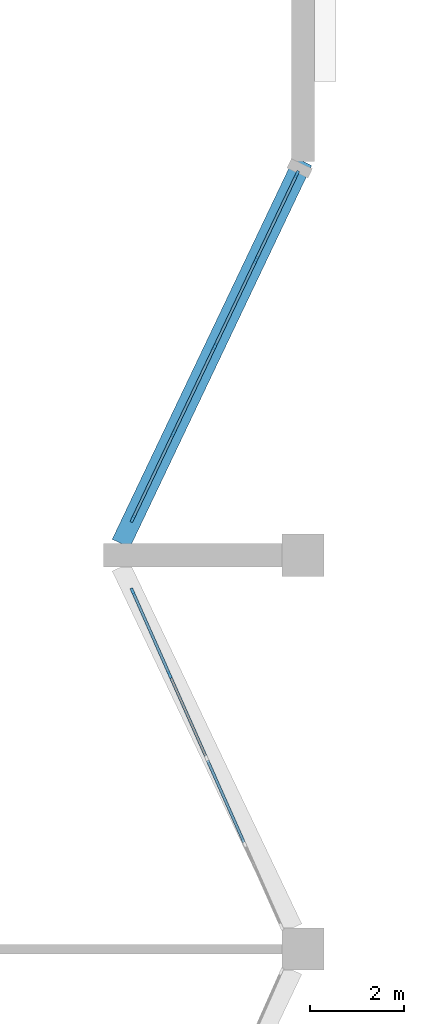
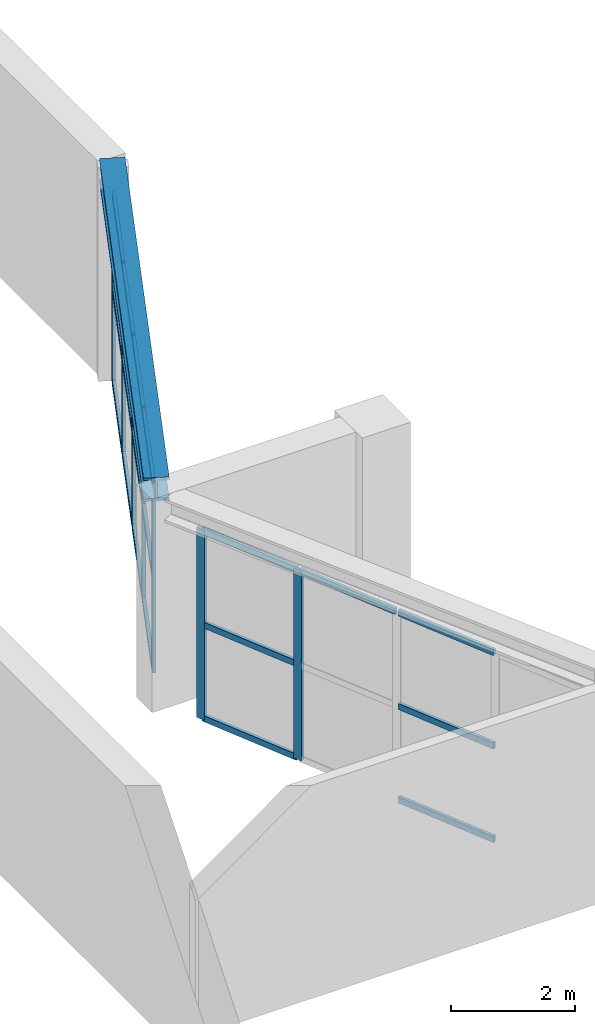
# One storey, part 22 of 51: 26 members, 1 beam, 2 elements without a shape of their own.
"""IFC4 building model written with IfcOpenShell, lengths in metres."""

from ifc_helpers import new_model, si_unit, direction, frame, origin, origin_2d, place, context, subcontext, project, spatial, rectangle, i_section, extrude, material, layer, layer_set, material_profile, profile_set, type_object, element, aggregate, save


model = new_model("IFC4")

# Units and contexts
model_context = context("Model", 3, precision=1e-05, world=origin(), true_north=direction((0.0, 1.0)))
body_context = subcontext(model_context, "Body", "Model", "MODEL_VIEW")
ifc_project = project(units=[si_unit("LENGTHUNIT", "METRE"), si_unit("AREAUNIT", "SQUARE_METRE"), si_unit("VOLUMEUNIT", "CUBIC_METRE"), si_unit("PLANEANGLEUNIT", "RADIAN"), si_unit("MASSUNIT", "GRAM", prefix="KILO")], contexts=[model_context])

# Site, building, storey
site_placement = place(None, origin())
site = spatial("IfcSite", under=ifc_project, at=site_placement, CompositionType="ELEMENT")
building_placement = place(site_placement, origin())
building = spatial("IfcBuilding", under=site, at=building_placement, Name="Cresset Court Congress Hotel", CompositionType="ELEMENT")
storey_placement = place(building_placement, frame((0.0, 0.0, 18.60009765625)))
storey = spatial("IfcBuildingStorey", under=building, at=storey_placement, Name="L04", CompositionType="ELEMENT", Elevation=18.60009765625)

# Curtain wall, members
ifc_material_1 = material(Name="Aluminium and glass", Category="aluminium")
ifc_layer = layer(ifc_material_1, 0.199951171875)
ifc_layer_set = layer_set([ifc_layer], Name="Clerestory curtain wall 1925 module")
curtain_wall_type = type_object("IfcCurtainWallType", Name="Clerestory curtain wall 1925 module", PredefinedType="NOTDEFINED", material=ifc_layer_set)
curtain_wall_1_placement = place(storey_placement, origin())
curtain_wall_1 = element("IfcCurtainWall", 1, at=curtain_wall_1_placement, inside=storey, type_object=curtain_wall_type, Name="Clerestory CX-04E4", PredefinedType="NOTDEFINED")
ifc_material_2 = material(Name="Anodised aluminium", Category="aluminium")
ifc_material_profile_1 = material_profile(ifc_material_2, rectangle(XDim=0.06005859375, YDim=0.159912109375, at=origin_2d()), Name="AL60x160")
ifc_profile_set_1 = profile_set([ifc_material_profile_1], Name="Anodised aluminium")
member_type_1 = type_object("IfcMemberType", Name="Curtain wall mullion 60x160", PredefinedType="MULLION", material=ifc_profile_set_1)
member_1_placement = place(storey_placement, frame((114.75537109375, 98.25, 0.0), z_axis=(0.0, 0.0, 1.0), x_axis=(-0.914147820268, -0.405381009298, 0.0)))
member_1 = element("IfcMember", 2, at=member_1_placement, type_object=member_type_1, Name="C-X5 mullion 4", PredefinedType="MULLION", context=body_context, shape_type="SweptSolid", body=[
    extrude(rectangle(XDim=0.06005859375, YDim=0.159912109375, at=origin_2d()), origin(), (0.0, 0.0, 1.0), 3.741943359375),
])
member_2_placement = place(storey_placement, frame((113.96923828125, 100.0224609375, 0.0), z_axis=(0.0, 0.0, 1.0), x_axis=(-0.914147820268, -0.405381009298, 0.0)))
member_2 = element("IfcMember", 3, at=member_2_placement, type_object=member_type_1, Name="C-X5 mullion 5", PredefinedType="MULLION", context=body_context, shape_type="SweptSolid", body=[
    extrude(rectangle(XDim=0.06005859375, YDim=0.159912109375, at=origin_2d()), origin(), (0.0, 0.0, 1.0), 3.741943359375),
])

curtain_wall_2_placement = place(storey_placement, origin())
curtain_wall_2 = element("IfcCurtainWall", 4, at=curtain_wall_2_placement, inside=storey, type_object=curtain_wall_type, Name="Clerestory CX-04E5", PredefinedType="NOTDEFINED")
member_3_placement = place(storey_placement, frame((113.969970703125, 101.5771484375, 0.0), z_axis=(0.0, 0.0, 1.0), x_axis=(-0.90286054363, 0.429933528299, 0.0)))
member_3 = element("IfcMember", 5, at=member_3_placement, type_object=member_type_1, Name="C-X5 mullion 1", PredefinedType="MULLION", context=body_context, shape_type="SweptSolid", body=[
    extrude(rectangle(XDim=0.06005859375, YDim=0.159912109375, at=origin_2d()), origin(), (0.0, 0.0, 1.0), 3.741943359375),
])
member_4_placement = place(storey_placement, frame((114.838134765625, 103.39990234375, 0.0), z_axis=(0.0, 0.0, 1.0), x_axis=(-0.90286054363, 0.429933528299, 0.0)))
member_4 = element("IfcMember", 6, at=member_4_placement, type_object=member_type_1, Name="C-X5 mullion 2", PredefinedType="MULLION", context=body_context, shape_type="SweptSolid", body=[
    extrude(rectangle(XDim=0.06005859375, YDim=0.159912109375, at=origin_2d()), origin(), (0.0, 0.0, 1.0), 3.741943359375),
])
member_5_placement = place(storey_placement, frame((115.718994140625, 105.25, 0.0), z_axis=(0.0, 0.0, 1.0), x_axis=(-0.90286054363, 0.429933528299, 0.0)))
member_5 = element("IfcMember", 7, at=member_5_placement, type_object=member_type_1, Name="C-X5 mullion 3", PredefinedType="MULLION", context=body_context, shape_type="SweptSolid", body=[
    extrude(rectangle(XDim=0.06005859375, YDim=0.159912109375, at=origin_2d()), origin(), (0.0, 0.0, 1.0), 3.741943359375),
])
member_6_placement = place(storey_placement, frame((116.60009765625, 107.10009765625, 0.0), z_axis=(0.0, 0.0, 1.0), x_axis=(-0.90286054363, 0.429933528299, 0.0)))
member_6 = element("IfcMember", 8, at=member_6_placement, type_object=member_type_1, Name="C-X5 mullion 4", PredefinedType="MULLION", context=body_context, shape_type="SweptSolid", body=[
    extrude(rectangle(XDim=0.06005859375, YDim=0.159912109375, at=origin_2d()), origin(), (0.0, 0.0, 1.0), 3.741943359375),
])
member_7_placement = place(storey_placement, frame((117.468017578125, 108.9228515625, 0.0), z_axis=(0.0, 0.0, 1.0), x_axis=(-0.90286054363, 0.429933528299, 0.0)))
member_7 = element("IfcMember", 9, at=member_7_placement, type_object=member_type_1, Name="C-X5 mullion 5", PredefinedType="MULLION", context=body_context, shape_type="SweptSolid", body=[
    extrude(rectangle(XDim=0.06005859375, YDim=0.159912109375, at=origin_2d()), origin(), (0.0, 0.0, 1.0), 3.741943359375),
])

# Member
ifc_material_3 = material(Name="Anodised aluminium", Category="aluminium")
ifc_material_profile_2 = material_profile(ifc_material_3, rectangle(XDim=0.06005859375, YDim=0.1201171875, at=origin_2d()), Name="AL60x120")
ifc_profile_set_2 = profile_set([ifc_material_profile_2], Name="Anodised aluminium")
member_type_2 = type_object("IfcMemberType", Name="Curtain wall transom 60x120", PredefinedType="USERDEFINED", material=ifc_profile_set_2)
member_8_placement = place(storey_placement, frame((116.339599609375, 94.677490234375, 0.02978515625), z_axis=(-0.405402653015, 0.914138222004, 0.0), x_axis=(-0.914138222004, -0.405402653015, 0.0)))
member_8 = element("IfcMember", 10, at=member_8_placement, type_object=member_type_2, Name="C-X5 transom 2.1", ObjectType="TRANSOM", PredefinedType="USERDEFINED", context=body_context, shape_type="SweptSolid", body=[
    extrude(rectangle(XDim=0.06005859375, YDim=0.1201171875, at=origin_2d()), origin(), (0.0, 0.0, 1.0), 1.908935546875),
])

member_9_placement = place(storey_placement, frame((116.339599609375, 94.677490234375, 1.870849609375), z_axis=(-0.405402653015, 0.914138222004, 0.0), x_axis=(-0.914138222004, -0.405402653015, 0.0)))
member_9 = element("IfcMember", 11, at=member_9_placement, type_object=member_type_2, Name="C-X5 transom 2.2", ObjectType="TRANSOM", PredefinedType="USERDEFINED", context=body_context, shape_type="SweptSolid", body=[
    extrude(rectangle(XDim=0.06005859375, YDim=0.1201171875, at=origin_2d()), origin(), (0.0, 0.0, 1.0), 1.908935546875),
])

member_10_placement = place(storey_placement, frame((116.339599609375, 94.677490234375, 3.7119140625), z_axis=(-0.405402653015, 0.914138222004, 0.0), x_axis=(-0.914138222004, -0.405402653015, 0.0)))
member_10 = element("IfcMember", 12, at=member_10_placement, type_object=member_type_2, Name="C-X5 transom 2.3", ObjectType="TRANSOM", PredefinedType="USERDEFINED", context=body_context, shape_type="SweptSolid", body=[
    extrude(rectangle(XDim=0.06005859375, YDim=0.1201171875, at=origin_2d()), origin(), (0.0, 0.0, 1.0), 1.908935546875),
])

member_11_placement = place(storey_placement, frame((115.54150390625, 96.4775390625, 3.7119140625), z_axis=(-0.405402653015, 0.914138222004, 0.0), x_axis=(-0.914138222004, -0.405402653015, 0.0)))
member_11 = element("IfcMember", 13, at=member_11_placement, type_object=member_type_2, Name="C-X5 transom 3.3", ObjectType="TRANSOM", PredefinedType="USERDEFINED", context=body_context, shape_type="SweptSolid", body=[
    extrude(rectangle(XDim=0.06005859375, YDim=0.1201171875, at=origin_2d()), origin(), (0.0, 0.0, 1.0), 1.908935546875),
])

member_12_placement = place(storey_placement, frame((114.7431640625, 98.27734375, 0.02978515625), z_axis=(-0.405366806366, 0.914154118459, 0.0), x_axis=(-0.914154118459, -0.405366806366, 0.0)))
member_12 = element("IfcMember", 14, at=member_12_placement, type_object=member_type_2, Name="C-X5 transom 4.1", ObjectType="TRANSOM", PredefinedType="USERDEFINED", context=body_context, shape_type="SweptSolid", body=[
    extrude(rectangle(XDim=0.06005859375, YDim=0.1201171875, at=origin_2d()), origin(), (0.0, 0.0, 1.0), 1.879150390625),
])

member_13_placement = place(storey_placement, frame((114.7431640625, 98.27734375, 1.870849609375), z_axis=(-0.405366806366, 0.914154118459, 0.0), x_axis=(-0.914154118459, -0.405366806366, 0.0)))
member_13 = element("IfcMember", 15, at=member_13_placement, type_object=member_type_2, Name="C-X5 transom 4.2", ObjectType="TRANSOM", PredefinedType="USERDEFINED", context=body_context, shape_type="SweptSolid", body=[
    extrude(rectangle(XDim=0.06005859375, YDim=0.1201171875, at=origin_2d()), origin(), (0.0, 0.0, 1.0), 1.879150390625),
])

member_14_placement = place(storey_placement, frame((114.7431640625, 98.27734375, 3.7119140625), z_axis=(-0.405366806366, 0.914154118459, 0.0), x_axis=(-0.914154118459, -0.405366806366, 0.0)))
member_14 = element("IfcMember", 16, at=member_14_placement, type_object=member_type_2, Name="C-X5 transom 4.3", ObjectType="TRANSOM", PredefinedType="USERDEFINED", context=body_context, shape_type="SweptSolid", body=[
    extrude(rectangle(XDim=0.06005859375, YDim=0.1201171875, at=origin_2d()), origin(), (0.0, 0.0, 1.0), 1.879150390625),
])

aggregate(curtain_wall_1, [member_1, member_2, member_8, member_9, member_10, member_11, member_12, member_13, member_14])

member_15_placement = place(storey_placement, frame((113.98291015625, 101.604248046875, 0.02978515625), z_axis=(0.429981958361, 0.902837480106, 0.0), x_axis=(-0.902837480106, 0.429981958361, 0.0)))
member_15 = element("IfcMember", 17, at=member_15_placement, type_object=member_type_2, Name="C-X5 transom 1.1", ObjectType="TRANSOM", PredefinedType="USERDEFINED", context=body_context, shape_type="SweptSolid", body=[
    extrude(rectangle(XDim=0.06005859375, YDim=0.1201171875, at=origin_2d()), origin(), (0.0, 0.0, 1.0), 1.958984375),
])

member_16_placement = place(storey_placement, frame((113.98291015625, 101.604248046875, 1.870849609375), z_axis=(0.429981958361, 0.902837480106, 0.0), x_axis=(-0.902837480106, 0.429981958361, 0.0)))
member_16 = element("IfcMember", 18, at=member_16_placement, type_object=member_type_2, Name="C-X5 transom 1.2", ObjectType="TRANSOM", PredefinedType="USERDEFINED", context=body_context, shape_type="SweptSolid", body=[
    extrude(rectangle(XDim=0.06005859375, YDim=0.1201171875, at=origin_2d()), origin(), (0.0, 0.0, 1.0), 1.958984375),
])

member_17_placement = place(storey_placement, frame((113.98291015625, 101.604248046875, 3.7119140625), z_axis=(0.429981958361, 0.902837480106, 0.0), x_axis=(-0.902837480106, 0.429981958361, 0.0)))
member_17 = element("IfcMember", 19, at=member_17_placement, type_object=member_type_2, Name="C-X5 transom 1.3", ObjectType="TRANSOM", PredefinedType="USERDEFINED", context=body_context, shape_type="SweptSolid", body=[
    extrude(rectangle(XDim=0.06005859375, YDim=0.1201171875, at=origin_2d()), origin(), (0.0, 0.0, 1.0), 1.958984375),
])

member_18_placement = place(storey_placement, frame((114.85107421875, 103.427001953125, 0.02978515625), z_axis=(0.429847816805, 0.902901353631, 0.0), x_axis=(-0.902901353631, 0.429847816805, 0.0)))
member_18 = element("IfcMember", 20, at=member_18_placement, type_object=member_type_2, Name="C-X5 transom 2.1", ObjectType="TRANSOM", PredefinedType="USERDEFINED", context=body_context, shape_type="SweptSolid", body=[
    extrude(rectangle(XDim=0.06005859375, YDim=0.1201171875, at=origin_2d()), origin(), (0.0, 0.0, 1.0), 1.989013671875),
])

member_19_placement = place(storey_placement, frame((114.85107421875, 103.427001953125, 1.870849609375), z_axis=(0.429847816805, 0.902901353631, 0.0), x_axis=(-0.902901353631, 0.429847816805, 0.0)))
member_19 = element("IfcMember", 21, at=member_19_placement, type_object=member_type_2, Name="C-X5 transom 2.2", ObjectType="TRANSOM", PredefinedType="USERDEFINED", context=body_context, shape_type="SweptSolid", body=[
    extrude(rectangle(XDim=0.06005859375, YDim=0.1201171875, at=origin_2d()), origin(), (0.0, 0.0, 1.0), 1.989013671875),
])

member_20_placement = place(storey_placement, frame((114.85107421875, 103.427001953125, 3.7119140625), z_axis=(0.429847816805, 0.902901353631, 0.0), x_axis=(-0.902901353631, 0.429847816805, 0.0)))
member_20 = element("IfcMember", 22, at=member_20_placement, type_object=member_type_2, Name="C-X5 transom 2.3", ObjectType="TRANSOM", PredefinedType="USERDEFINED", context=body_context, shape_type="SweptSolid", body=[
    extrude(rectangle(XDim=0.06005859375, YDim=0.1201171875, at=origin_2d()), origin(), (0.0, 0.0, 1.0), 1.989013671875),
])

member_21_placement = place(storey_placement, frame((115.73193359375, 105.277099609375, 0.02978515625), z_axis=(0.429947873192, 0.90285371259, 0.0), x_axis=(-0.90285371259, 0.429947873192, 0.0)))
member_21 = element("IfcMember", 23, at=member_21_placement, type_object=member_type_2, Name="C-X5 transom 3.1", ObjectType="TRANSOM", PredefinedType="USERDEFINED", context=body_context, shape_type="SweptSolid", body=[
    extrude(rectangle(XDim=0.06005859375, YDim=0.1201171875, at=origin_2d()), origin(), (0.0, 0.0, 1.0), 1.989013671875),
])

member_22_placement = place(storey_placement, frame((115.73193359375, 105.277099609375, 1.870849609375), z_axis=(0.429947873192, 0.90285371259, 0.0), x_axis=(-0.90285371259, 0.429947873192, 0.0)))
member_22 = element("IfcMember", 24, at=member_22_placement, type_object=member_type_2, Name="C-X5 transom 3.2", ObjectType="TRANSOM", PredefinedType="USERDEFINED", context=body_context, shape_type="SweptSolid", body=[
    extrude(rectangle(XDim=0.06005859375, YDim=0.1201171875, at=origin_2d()), origin(), (0.0, 0.0, 1.0), 1.989013671875),
])

member_23_placement = place(storey_placement, frame((115.73193359375, 105.277099609375, 3.7119140625), z_axis=(0.429947873192, 0.90285371259, 0.0), x_axis=(-0.90285371259, 0.429947873192, 0.0)))
member_23 = element("IfcMember", 25, at=member_23_placement, type_object=member_type_2, Name="C-X5 transom 3.3", ObjectType="TRANSOM", PredefinedType="USERDEFINED", context=body_context, shape_type="SweptSolid", body=[
    extrude(rectangle(XDim=0.06005859375, YDim=0.1201171875, at=origin_2d()), origin(), (0.0, 0.0, 1.0), 1.989013671875),
])

member_24_placement = place(storey_placement, frame((116.61279296875, 107.127197265625, 0.02978515625), z_axis=(0.429981958361, 0.902837480106, 0.0), x_axis=(-0.902837480106, 0.429981958361, 0.0)))
member_24 = element("IfcMember", 26, at=member_24_placement, type_object=member_type_2, Name="C-X5 transom 4.1", ObjectType="TRANSOM", PredefinedType="USERDEFINED", context=body_context, shape_type="SweptSolid", body=[
    extrude(rectangle(XDim=0.06005859375, YDim=0.1201171875, at=origin_2d()), origin(), (0.0, 0.0, 1.0), 1.958984375),
])

member_25_placement = place(storey_placement, frame((116.61279296875, 107.127197265625, 1.870849609375), z_axis=(0.429981958361, 0.902837480106, 0.0), x_axis=(-0.902837480106, 0.429981958361, 0.0)))
member_25 = element("IfcMember", 27, at=member_25_placement, type_object=member_type_2, Name="C-X5 transom 4.2", ObjectType="TRANSOM", PredefinedType="USERDEFINED", context=body_context, shape_type="SweptSolid", body=[
    extrude(rectangle(XDim=0.06005859375, YDim=0.1201171875, at=origin_2d()), origin(), (0.0, 0.0, 1.0), 1.958984375),
])

member_26_placement = place(storey_placement, frame((116.61279296875, 107.127197265625, 3.7119140625), z_axis=(0.429981958361, 0.902837480106, 0.0), x_axis=(-0.902837480106, 0.429981958361, 0.0)))
member_26 = element("IfcMember", 28, at=member_26_placement, type_object=member_type_2, Name="C-X5 transom 4.3", ObjectType="TRANSOM", PredefinedType="USERDEFINED", context=body_context, shape_type="SweptSolid", body=[
    extrude(rectangle(XDim=0.06005859375, YDim=0.1201171875, at=origin_2d()), origin(), (0.0, 0.0, 1.0), 1.958984375),
])

aggregate(curtain_wall_2, [member_3, member_4, member_5, member_6, member_7, member_15, member_16, member_17, member_18, member_19, member_20, member_21, member_22, member_23, member_24, member_25, member_26])

# Beam
ifc_material_4 = material(Name="Structural steel Q355B", Category="steel")
ifc_material_profile_3 = material_profile(ifc_material_4, i_section(OverallWidth=0.4169921875, OverallDepth=0.4580078125, WebThickness=0.030029296875, FlangeThickness=0.050048828125, FilletRadius=0.02197265625, at=origin_2d()), Name="HW458x417x30x50")
ifc_profile_set_3 = profile_set([ifc_material_profile_3], Name="Structural steel Q355B")
beam_type = type_object("IfcBeamType", Name="Steel HW458x417x30x50 lintel", PredefinedType="BEAM", material=ifc_profile_set_3)
beam_placement = place(storey_placement, frame((113.718994140625, 101.050048828125, 3.970947265625), z_axis=(0.429951427717, 0.902852019881, 0.0), x_axis=(-0.902852019881, 0.429951427717, 0.0)))
element("IfcBeam", 29, at=beam_placement, inside=storey, type_object=beam_type, Name="Lintel CL-E5", PredefinedType="BEAM", context=body_context, shape_type="SweptSolid", body=[
    extrude(i_section(OverallWidth=0.4169921875, OverallDepth=0.4580078125, WebThickness=0.030029296875, FlangeThickness=0.050048828125, FilletRadius=0.02197265625, at=origin_2d()), origin(), (0.0, 0.0, 1.0), 9.02685546875),
])

save(model, "model.ifc")
